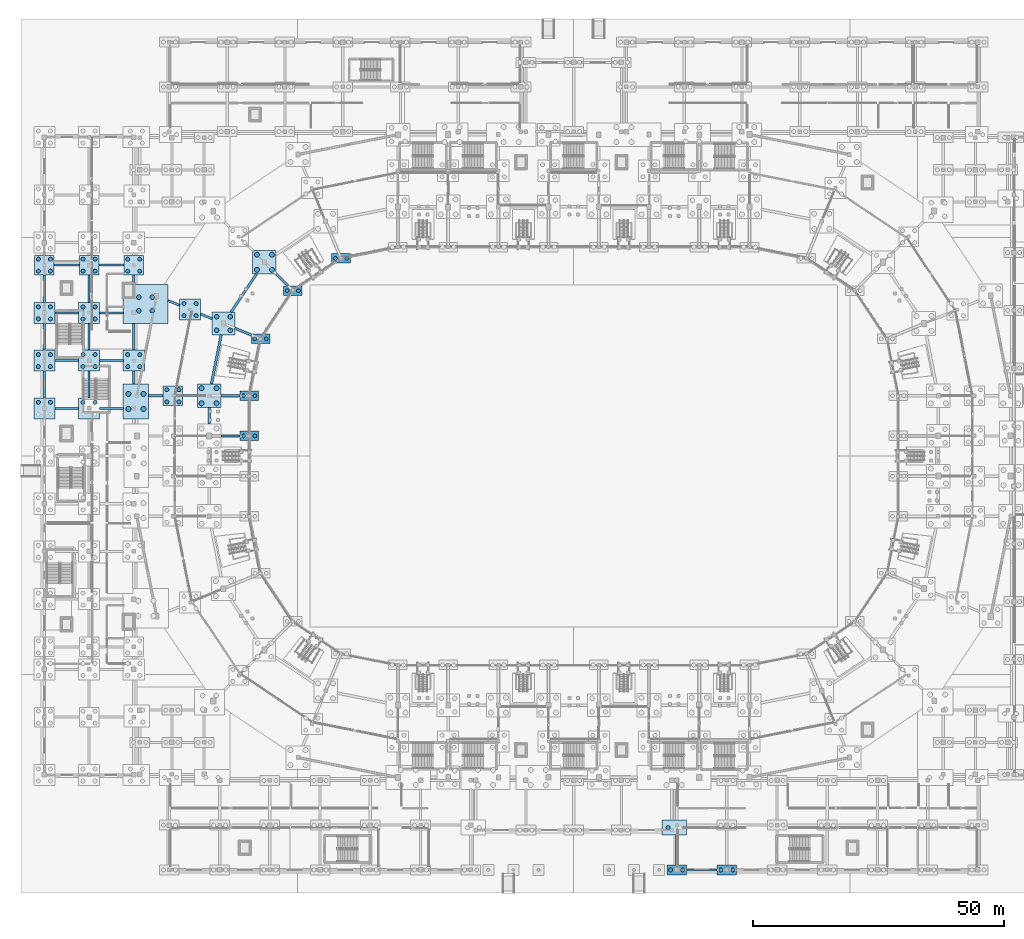
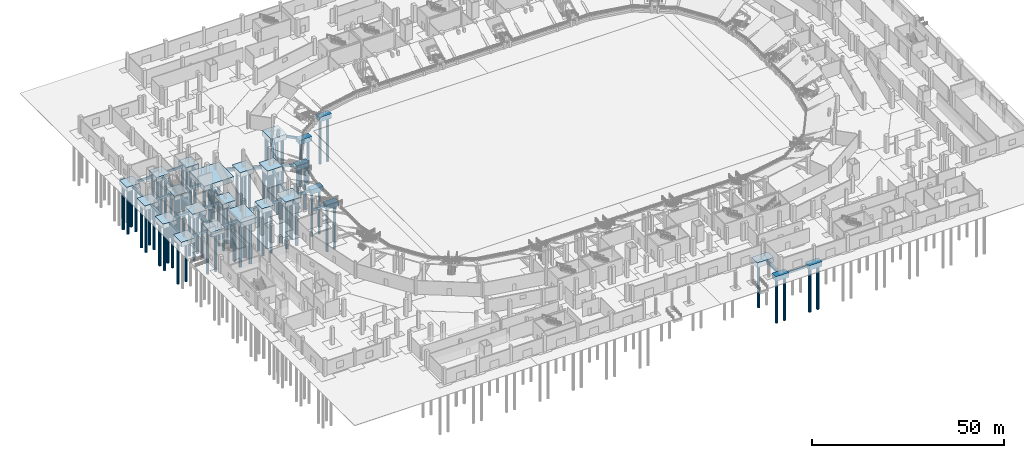
# One storey, part 5 of 68: 79 piles, 55 footings.
"""IFC4 building model written with IfcOpenShell, lengths in metres."""

from ifc_helpers import new_model, si_unit, direction, frame, origin, origin_2d, place, context, subcontext, project, spatial, rectangle, circle, extrude, material, material_profile, profile_set, type_object, element, save


model = new_model("IFC4")

# Units and contexts
model_context = context("Model", 3, precision=1e-05, world=origin(), true_north=direction((0.0, 1.0)))
body_context = subcontext(model_context, "Body", "Model", "MODEL_VIEW")
ifc_project = project(units=[si_unit("LENGTHUNIT", "METRE"), si_unit("AREAUNIT", "SQUARE_METRE"), si_unit("VOLUMEUNIT", "CUBIC_METRE"), si_unit("PLANEANGLEUNIT", "RADIAN"), si_unit("MASSUNIT", "GRAM", prefix="KILO")], contexts=[model_context])

# Site, building, storey
site_placement = place(None, origin())
site = spatial("IfcSite", under=ifc_project, at=site_placement, CompositionType="ELEMENT")
building_placement = place(site_placement, origin())
building = spatial("IfcBuilding", under=site, at=building_placement, Name="Candeia Ridge Stadium", CompositionType="ELEMENT")
storey_placement = place(building_placement, origin())
storey = spatial("IfcBuildingStorey", under=building, at=storey_placement, Name="L00", CompositionType="ELEMENT", Elevation=0.0)

# Piles
ifc_material = material(Name="Concrete C40/50", Category="concrete")
ifc_material_profile_1 = material_profile(ifc_material, circle(Radius=0.5, at=origin_2d()), Name="PILE-D1000", Category="concrete")
ifc_profile_set_1 = profile_set([ifc_material_profile_1], Name="Concrete C40/50")
pile_type_1 = type_object("IfcPileType", Name="Bored Concrete Pile D1000", PredefinedType="BORED", material=ifc_profile_set_1)
for number, where, z_axis, x_axis, name in (
    (1, (42.912841796875, 120.087158203125, -1.39990234375), (0.0, 0.0, -1.0), (1.0, 0.0, 0.0), "Bored concrete foundation pile PILE-0125"),
    (2, (45.912841796875, 120.087158203125, -1.39990234375), (0.0, 0.0, -1.0), (1.0, 0.0, 0.0), "Bored concrete foundation pile PILE-0126"),
    (3, (42.912841796875, 123.087158203125, -1.39990234375), (0.0, 0.0, -1.0), (1.0, 0.0, 0.0), "Bored concrete foundation pile PILE-0127"),
    (4, (45.912841796875, 123.087158203125, -1.39990234375), (0.0, 0.0, -1.0), (1.0, 0.0, 0.0), "Bored concrete foundation pile PILE-0128"),
    (5, (31.89990234375, 93.5, -1.39990234375), (0.0, 0.0, -1.0), (1.0, 0.0, 0.0), "Bored concrete foundation pile PILE-0153"),
    (6, (34.89990234375, 93.5, -1.39990234375), (0.0, 0.0, -1.0), (1.0, 0.0, 0.0), "Bored concrete foundation pile PILE-0154"),
    (7, (31.89990234375, 96.5, -1.39990234375), (0.0, 0.0, -1.0), (1.0, 0.0, 0.0), "Bored concrete foundation pile PILE-0155"),
    (8, (34.89990234375, 96.5, -1.39990234375), (0.0, 0.0, -1.0), (1.0, 0.0, 0.0), "Bored concrete foundation pile PILE-0156"),
    (9, (17.324951171875, 92.375, -1.39990234375), (0.0, 0.0, -1.0), (1.0, 0.0, 0.0), "Bored concrete foundation pile PILE-0161"),
    (10, (20.324951171875, 92.375, -1.39990234375), (0.0, 0.0, -1.0), (1.0, 0.0, 0.0), "Bored concrete foundation pile PILE-0162"),
    (11, (17.324951171875, 95.375, -1.39990234375), (0.0, 0.0, -1.0), (1.0, 0.0, 0.0), "Bored concrete foundation pile PILE-0163"),
    (12, (20.324951171875, 95.375, -1.39990234375), (0.0, 0.0, -1.0), (1.0, 0.0, 0.0), "Bored concrete foundation pile PILE-0164"),
):
    element("IfcPile", number, at=place(storey_placement, frame(where, z_axis=z_axis, x_axis=x_axis)), inside=storey, type_object=pile_type_1, Name=name, PredefinedType="BORED", context=body_context, shape_type="SweptSolid", body=[
        extrude(circle(Radius=0.5, at=origin_2d()), origin(), (0.0, 0.0, 1.0), 14.0),
    ])
ifc_material_profile_2 = material_profile(ifc_material, circle(Radius=0.375, at=origin_2d()), Name="PILE-D750", Category="concrete")
ifc_profile_set_2 = profile_set([ifc_material_profile_2], Name="Concrete C40/50")
pile_type_2 = type_object("IfcPileType", Name="Bored Concrete Pile D750", PredefinedType="BORED", material=ifc_profile_set_2)
for number, where, z_axis, x_axis, name in (
    (13, (58.547607421875, 122.3466796875, -1.39990234375), (0.0, 0.0, -1.0), (1.0, 0.0, 0.0), "Bored concrete foundation pile PILE-0109"),
    (14, (60.797607421875, 122.3466796875, -1.39990234375), (0.0, 0.0, -1.0), (1.0, 0.0, 0.0), "Bored concrete foundation pile PILE-0110"),
    (15, (48.944580078125, 115.930419921875, -1.39990234375), (0.0, 0.0, -1.0), (1.0, 0.0, 0.0), "Bored concrete foundation pile PILE-0123"),
    (16, (51.194580078125, 115.930419921875, -1.39990234375), (0.0, 0.0, -1.0), (1.0, 0.0, 0.0), "Bored concrete foundation pile PILE-0124"),
    (17, (42.5283203125, 106.327392578125, -1.39990234375), (0.0, 0.0, -1.0), (1.0, 0.0, 0.0), "Bored concrete foundation pile PILE-0137"),
    (18, (44.7783203125, 106.327392578125, -1.39990234375), (0.0, 0.0, -1.0), (1.0, 0.0, 0.0), "Bored concrete foundation pile PILE-0138"),
    (19, (40.27490234375, 95.0, -1.39990234375), (0.0, 0.0, -1.0), (1.0, 0.0, 0.0), "Bored concrete foundation pile PILE-0151"),
    (20, (42.52490234375, 95.0, -1.39990234375), (0.0, 0.0, -1.0), (1.0, 0.0, 0.0), "Bored concrete foundation pile PILE-0152"),
    (21, (40.27490234375, 87.0, -1.39990234375), (0.0, 0.0, -1.0), (1.0, 0.0, 0.0), "Bored concrete foundation pile PILE-0165"),
    (22, (42.52490234375, 87.0, -1.39990234375), (0.0, 0.0, -1.0), (1.0, 0.0, 0.0), "Bored concrete foundation pile PILE-0166"),
):
    element("IfcPile", number, at=place(storey_placement, frame(where, z_axis=z_axis, x_axis=x_axis)), inside=storey, type_object=pile_type_2, Name=name, PredefinedType="BORED", context=body_context, shape_type="SweptSolid", body=[
        extrude(circle(Radius=0.375, at=origin_2d()), origin(), (0.0, 0.0, 1.0), 14.0),
    ])
ifc_material_profile_3 = material_profile(ifc_material, circle(Radius=0.39990234375, at=origin_2d()), Name="PILE-D800", Category="concrete")
ifc_profile_set_3 = profile_set([ifc_material_profile_3], Name="Concrete C40/50")
pile_type_3 = type_object("IfcPileType", Name="Bored Concrete Pile D800", PredefinedType="BORED", material=ifc_profile_set_3)
for number, where, z_axis, x_axis, name in (
    (23, (28.41015625, 110.944091796875, -1.39990234375), (0.0, 0.0, -1.0), (1.0, 0.0, 0.0), "Bored concrete foundation pile PILE-0143"),
    (24, (30.810302734375, 110.944091796875, -1.39990234375), (0.0, 0.0, -1.0), (1.0, 0.0, 0.0), "Bored concrete foundation pile PILE-0144"),
    (25, (28.41015625, 113.34423828125, -1.39990234375), (0.0, 0.0, -1.0), (1.0, 0.0, 0.0), "Bored concrete foundation pile PILE-0145"),
    (26, (30.810302734375, 113.34423828125, -1.39990234375), (0.0, 0.0, -1.0), (1.0, 0.0, 0.0), "Bored concrete foundation pile PILE-0146"),
    (27, (25.0, 93.800048828125, -1.39990234375), (0.0, 0.0, -1.0), (1.0, 0.0, 0.0), "Bored concrete foundation pile PILE-0157"),
    (28, (27.39990234375, 93.800048828125, -1.39990234375), (0.0, 0.0, -1.0), (1.0, 0.0, 0.0), "Bored concrete foundation pile PILE-0158"),
    (29, (25.0, 96.199951171875, -1.39990234375), (0.0, 0.0, -1.0), (1.0, 0.0, 0.0), "Bored concrete foundation pile PILE-0159"),
    (30, (27.39990234375, 96.199951171875, -1.39990234375), (0.0, 0.0, -1.0), (1.0, 0.0, 0.0), "Bored concrete foundation pile PILE-0160"),
    (31, (-0.60009765625, 93.699951171875, -1.39990234375), (0.0, 0.0, -1.0), (1.0, 0.0, 0.0), "Bored concrete foundation pile PILE-0527"),
    (32, (1.800048828125, 93.699951171875, -1.39990234375), (0.0, 0.0, -1.0), (1.0, 0.0, 0.0), "Bored concrete foundation pile PILE-0528"),
    (33, (-0.60009765625, 100.800048828125, -1.39990234375), (0.0, 0.0, -1.0), (1.0, 0.0, 0.0), "Bored concrete foundation pile PILE-0529"),
    (34, (1.800048828125, 100.800048828125, -1.39990234375), (0.0, 0.0, -1.0), (1.0, 0.0, 0.0), "Bored concrete foundation pile PILE-0530"),
    (35, (-0.60009765625, 103.199951171875, -1.39990234375), (0.0, 0.0, -1.0), (1.0, 0.0, 0.0), "Bored concrete foundation pile PILE-0531"),
    (36, (1.800048828125, 103.199951171875, -1.39990234375), (0.0, 0.0, -1.0), (1.0, 0.0, 0.0), "Bored concrete foundation pile PILE-0532"),
    (37, (-0.60009765625, 110.300048828125, -1.39990234375), (0.0, 0.0, -1.0), (1.0, 0.0, 0.0), "Bored concrete foundation pile PILE-0533"),
    (38, (1.800048828125, 110.300048828125, -1.39990234375), (0.0, 0.0, -1.0), (1.0, 0.0, 0.0), "Bored concrete foundation pile PILE-0534"),
    (39, (-0.60009765625, 112.699951171875, -1.39990234375), (0.0, 0.0, -1.0), (1.0, 0.0, 0.0), "Bored concrete foundation pile PILE-0535"),
    (40, (1.800048828125, 112.699951171875, -1.39990234375), (0.0, 0.0, -1.0), (1.0, 0.0, 0.0), "Bored concrete foundation pile PILE-0536"),
    (41, (-0.60009765625, 119.800048828125, -1.39990234375), (0.0, 0.0, -1.0), (1.0, 0.0, 0.0), "Bored concrete foundation pile PILE-0537"),
    (42, (1.800048828125, 119.800048828125, -1.39990234375), (0.0, 0.0, -1.0), (1.0, 0.0, 0.0), "Bored concrete foundation pile PILE-0538"),
    (43, (-0.60009765625, 122.199951171875, -1.39990234375), (0.0, 0.0, -1.0), (1.0, 0.0, 0.0), "Bored concrete foundation pile PILE-0539"),
    (44, (1.800048828125, 122.199951171875, -1.39990234375), (0.0, 0.0, -1.0), (1.0, 0.0, 0.0), "Bored concrete foundation pile PILE-0540"),
    (45, (8.300048828125, 93.699951171875, -1.39990234375), (0.0, 0.0, -1.0), (1.0, 0.0, 0.0), "Bored concrete foundation pile PILE-0587"),
    (46, (10.699951171875, 93.699951171875, -1.39990234375), (0.0, 0.0, -1.0), (1.0, 0.0, 0.0), "Bored concrete foundation pile PILE-0588"),
    (47, (8.300048828125, 100.800048828125, -1.39990234375), (0.0, 0.0, -1.0), (1.0, 0.0, 0.0), "Bored concrete foundation pile PILE-0589"),
    (48, (10.699951171875, 100.800048828125, -1.39990234375), (0.0, 0.0, -1.0), (1.0, 0.0, 0.0), "Bored concrete foundation pile PILE-0590"),
    (49, (8.300048828125, 103.199951171875, -1.39990234375), (0.0, 0.0, -1.0), (1.0, 0.0, 0.0), "Bored concrete foundation pile PILE-0591"),
    (50, (10.699951171875, 103.199951171875, -1.39990234375), (0.0, 0.0, -1.0), (1.0, 0.0, 0.0), "Bored concrete foundation pile PILE-0592"),
    (51, (8.300048828125, 110.300048828125, -1.39990234375), (0.0, 0.0, -1.0), (1.0, 0.0, 0.0), "Bored concrete foundation pile PILE-0593"),
    (52, (10.699951171875, 110.300048828125, -1.39990234375), (0.0, 0.0, -1.0), (1.0, 0.0, 0.0), "Bored concrete foundation pile PILE-0594"),
    (53, (8.300048828125, 112.699951171875, -1.39990234375), (0.0, 0.0, -1.0), (1.0, 0.0, 0.0), "Bored concrete foundation pile PILE-0595"),
    (54, (10.699951171875, 112.699951171875, -1.39990234375), (0.0, 0.0, -1.0), (1.0, 0.0, 0.0), "Bored concrete foundation pile PILE-0596"),
    (55, (8.300048828125, 119.800048828125, -1.39990234375), (0.0, 0.0, -1.0), (1.0, 0.0, 0.0), "Bored concrete foundation pile PILE-0597"),
    (56, (10.699951171875, 119.800048828125, -1.39990234375), (0.0, 0.0, -1.0), (1.0, 0.0, 0.0), "Bored concrete foundation pile PILE-0598"),
    (57, (8.300048828125, 122.199951171875, -1.39990234375), (0.0, 0.0, -1.0), (1.0, 0.0, 0.0), "Bored concrete foundation pile PILE-0599"),
    (58, (10.699951171875, 122.199951171875, -1.39990234375), (0.0, 0.0, -1.0), (1.0, 0.0, 0.0), "Bored concrete foundation pile PILE-0600"),
    (59, (17.199951171875, 100.800048828125, -1.39990234375), (0.0, 0.0, -1.0), (1.0, 0.0, 0.0), "Bored concrete foundation pile PILE-0633"),
    (60, (19.60009765625, 100.800048828125, -1.39990234375), (0.0, 0.0, -1.0), (1.0, 0.0, 0.0), "Bored concrete foundation pile PILE-0634"),
    (61, (17.199951171875, 103.199951171875, -1.39990234375), (0.0, 0.0, -1.0), (1.0, 0.0, 0.0), "Bored concrete foundation pile PILE-0635"),
    (62, (19.60009765625, 103.199951171875, -1.39990234375), (0.0, 0.0, -1.0), (1.0, 0.0, 0.0), "Bored concrete foundation pile PILE-0636"),
    (63, (17.199951171875, 119.800048828125, -1.39990234375), (0.0, 0.0, -1.0), (1.0, 0.0, 0.0), "Bored concrete foundation pile PILE-0637"),
    (64, (19.60009765625, 119.800048828125, -1.39990234375), (0.0, 0.0, -1.0), (1.0, 0.0, 0.0), "Bored concrete foundation pile PILE-0638"),
    (65, (17.199951171875, 122.199951171875, -1.39990234375), (0.0, 0.0, -1.0), (1.0, 0.0, 0.0), "Bored concrete foundation pile PILE-0639"),
    (66, (19.60009765625, 122.199951171875, -1.39990234375), (0.0, 0.0, -1.0), (1.0, 0.0, 0.0), "Bored concrete foundation pile PILE-0640"),
    (67, (125.300048828125, 0.60009765625, -1.39990234375), (0.0, 0.0, -1.0), (1.0, 0.0, 0.0), "Bored concrete foundation pile PILE-0759"),
    (68, (127.699951171875, 0.60009765625, -1.39990234375), (0.0, 0.0, -1.0), (1.0, 0.0, 0.0), "Bored concrete foundation pile PILE-0760"),
    (69, (124.800048828125, 9.0, -1.39990234375), (0.0, 0.0, -1.0), (1.0, 0.0, 0.0), "Bored concrete foundation pile PILE-0761"),
    (70, (135.300048828125, 0.60009765625, -1.39990234375), (0.0, 0.0, -1.0), (1.0, 0.0, 0.0), "Bored concrete foundation pile PILE-0763"),
    (71, (137.699951171875, 0.60009765625, -1.39990234375), (0.0, 0.0, -1.0), (1.0, 0.0, 0.0), "Bored concrete foundation pile PILE-0764"),
):
    element("IfcPile", number, at=place(storey_placement, frame(where, z_axis=z_axis, x_axis=x_axis)), inside=storey, type_object=pile_type_3, Name=name, PredefinedType="BORED", context=body_context, shape_type="SweptSolid", body=[
        extrude(circle(Radius=0.39990234375, at=origin_2d()), origin(), (0.0, 0.0, 1.0), 14.0),
    ])
ifc_material_profile_4 = material_profile(ifc_material, circle(Radius=0.449951171875, at=origin_2d()), Name="PILE-D900", Category="concrete")
ifc_profile_set_4 = profile_set([ifc_material_profile_4], Name="Concrete C40/50")
pile_type_4 = type_object("IfcPileType", Name="Bored Concrete Pile D900", PredefinedType="BORED", material=ifc_profile_set_4)
for number, where, z_axis, x_axis, name in (
    (72, (34.912109375, 108.038818359375, -1.39990234375), (0.0, 0.0, -1.0), (1.0, 0.0, 0.0), "Bored concrete foundation pile PILE-0139"),
    (73, (37.612060546875, 108.038818359375, -1.39990234375), (0.0, 0.0, -1.0), (1.0, 0.0, 0.0), "Bored concrete foundation pile PILE-0140"),
    (74, (34.912109375, 110.739013671875, -1.39990234375), (0.0, 0.0, -1.0), (1.0, 0.0, 0.0), "Bored concrete foundation pile PILE-0141"),
    (75, (37.612060546875, 110.739013671875, -1.39990234375), (0.0, 0.0, -1.0), (1.0, 0.0, 0.0), "Bored concrete foundation pile PILE-0142"),
    (76, (19.404052734375, 111.9248046875, -1.39990234375), (0.0, 0.0, -1.0), (1.0, 0.0, 0.0), "Bored concrete foundation pile PILE-0147"),
    (77, (22.10400390625, 111.9248046875, -1.39990234375), (0.0, 0.0, -1.0), (1.0, 0.0, 0.0), "Bored concrete foundation pile PILE-0148"),
    (78, (19.404052734375, 114.624755859375, -1.39990234375), (0.0, 0.0, -1.0), (1.0, 0.0, 0.0), "Bored concrete foundation pile PILE-0149"),
    (79, (22.10400390625, 114.624755859375, -1.39990234375), (0.0, 0.0, -1.0), (1.0, 0.0, 0.0), "Bored concrete foundation pile PILE-0150"),
):
    element("IfcPile", number, at=place(storey_placement, frame(where, z_axis=z_axis, x_axis=x_axis)), inside=storey, type_object=pile_type_4, Name=name, PredefinedType="BORED", context=body_context, shape_type="SweptSolid", body=[
        extrude(circle(Radius=0.449951171875, at=origin_2d()), origin(), (0.0, 0.0, 1.0), 14.0),
    ])

# Footings
footing_type_1 = type_object("IfcFootingType", Name="Ground Tie Beam 400x700", PredefinedType="FOOTING_BEAM", material=ifc_material)
for number, where, z_axis, x_axis, name in (
    (80, (5.050048828125, 92.5, -1.0498046875), (0.0, 0.0, 1.0), (1.0, 0.0, 0.0), "Ground tie beam GTB-0177"),
    (81, (5.050048828125, 102.0, -1.0498046875), (0.0, 0.0, 1.0), (1.0, 0.0, 0.0), "Ground tie beam GTB-0179"),
    (82, (5.050048828125, 111.5, -1.0498046875), (0.0, 0.0, 1.0), (1.0, 0.0, 0.0), "Ground tie beam GTB-0181"),
):
    element("IfcFooting", number, at=place(storey_placement, frame(where, z_axis=z_axis, x_axis=x_axis)), inside=storey, type_object=footing_type_1, Name=name, PredefinedType="FOOTING_BEAM", context=body_context, shape_type="SweptSolid", body=[
        extrude(rectangle(XDim=4.719970703125, YDim=0.39990234375, at=origin_2d()), origin(), (0.0, 0.0, 1.0), 0.699951171875),
    ])
footing_1_placement = place(storey_placement, frame((5.050048828125, 121.0, -1.0498046875), z_axis=(0.0, 0.0, 1.0), x_axis=(1.0, 0.0, 0.0)))
element("IfcFooting", 83, at=footing_1_placement, inside=storey, type_object=footing_type_1, Name="Ground tie beam GTB-0183", PredefinedType="FOOTING_BEAM", context=body_context, shape_type="SweptSolid", body=[
    extrude(rectangle(XDim=5.02001953125, YDim=0.39990234375, at=origin_2d()), origin(), (0.0, 0.0, 1.0), 0.699951171875),
])
for number, where, z_axis, x_axis, name in (
    (84, (13.949951171875, 92.5, -1.0498046875), (0.0, 0.0, 1.0), (1.0, 0.0, 0.0), "Ground tie beam GTB-0206"),
    (85, (13.949951171875, 102.0, -1.0498046875), (0.0, 0.0, 1.0), (1.0, 0.0, 0.0), "Ground tie beam GTB-0208"),
    (86, (13.949951171875, 111.5, -1.0498046875), (0.0, 0.0, 1.0), (1.0, 0.0, 0.0), "Ground tie beam GTB-0210"),
):
    element("IfcFooting", number, at=place(storey_placement, frame(where, z_axis=z_axis, x_axis=x_axis)), inside=storey, type_object=footing_type_1, Name=name, PredefinedType="FOOTING_BEAM", context=body_context, shape_type="SweptSolid", body=[
        extrude(rectangle(XDim=4.719970703125, YDim=0.39990234375, at=origin_2d()), origin(), (0.0, 0.0, 1.0), 0.699951171875),
    ])
footing_2_placement = place(storey_placement, frame((13.949951171875, 121.0, -1.0498046875), z_axis=(0.0, 0.0, 1.0), x_axis=(1.0, 0.0, 0.0)))
element("IfcFooting", 87, at=footing_2_placement, inside=storey, type_object=footing_type_1, Name="Ground tie beam GTB-0212", PredefinedType="FOOTING_BEAM", context=body_context, shape_type="SweptSolid", body=[
    extrude(rectangle(XDim=5.02001953125, YDim=0.39990234375, at=origin_2d()), origin(), (0.0, 0.0, 1.0), 0.699951171875),
])
footing_3_placement = place(storey_placement, frame((131.5, 0.60009765625, -1.0498046875), z_axis=(0.0, 0.0, 1.0), x_axis=(1.0, 0.0, 0.0)))
element("IfcFooting", 88, at=footing_3_placement, inside=storey, type_object=footing_type_1, Name="Ground tie beam GTB-0322", PredefinedType="FOOTING_BEAM", context=body_context, shape_type="SweptSolid", body=[
    extrude(rectangle(XDim=6.1201171875, YDim=0.39990234375, at=origin_2d()), origin(), (0.0, 0.0, 1.0), 0.699951171875),
])
footing_type_2 = type_object("IfcFootingType", Name="Ground Tie Beam 450x750", PredefinedType="FOOTING_BEAM", material=ifc_material)
footing_4_placement = place(storey_placement, frame((47.941162109375, 118.058837890625, -1.074951171875), z_axis=(0.0, 0.0, 1.0), x_axis=(-0.707106781187, 0.707106781187, 0.0)))
element("IfcFooting", 89, at=footing_4_placement, inside=storey, type_object=footing_type_2, Name="Ground tie beam GTB-0043", PredefinedType="FOOTING_BEAM", context=body_context, shape_type="SweptSolid", body=[
    extrude(rectangle(XDim=3.35302734375, YDim=0.449951171875, at=origin_2d()), origin(), (0.0, 0.0, 1.0), 0.75),
])
footing_5_placement = place(storey_placement, frame((40.15771484375, 107.775390625, -1.074951171875), z_axis=(0.0, 0.0, 1.0), x_axis=(-0.923883459144, 0.382673952498, 0.0)))
element("IfcFooting", 90, at=footing_5_placement, inside=storey, type_object=footing_type_2, Name="Ground tie beam GTB-0047", PredefinedType="FOOTING_BEAM", context=body_context, shape_type="SweptSolid", body=[
    extrude(rectangle(XDim=3.582275390625, YDim=0.449951171875, at=origin_2d()), origin(), (0.0, 0.0, 1.0), 0.75),
])
footing_6_placement = place(storey_placement, frame((32.861083984375, 110.797607421875, -1.074951171875), z_axis=(0.0, 0.0, 1.0), x_axis=(-0.92388532511, 0.382669447496, 0.0)))
element("IfcFooting", 91, at=footing_6_placement, inside=storey, type_object=footing_type_2, Name="Ground tie beam GTB-0048", PredefinedType="FOOTING_BEAM", context=body_context, shape_type="SweptSolid", body=[
    extrude(rectangle(XDim=2.511474609375, YDim=0.449951171875, at=origin_2d()), origin(), (0.0, 0.0, 1.0), 0.75),
])
footing_7_placement = place(storey_placement, frame((26.359130859375, 113.49072265625, -1.074951171875), z_axis=(0.0, 0.0, 1.0), x_axis=(-0.923871248124, 0.382703432032, 0.0)))
element("IfcFooting", 92, at=footing_7_placement, inside=storey, type_object=footing_type_2, Name="Ground tie beam GTB-0049", PredefinedType="FOOTING_BEAM", context=body_context, shape_type="SweptSolid", body=[
    extrude(rectangle(XDim=2.51171875, YDim=0.449951171875, at=origin_2d()), origin(), (0.0, 0.0, 1.0), 0.75),
])
footing_8_placement = place(storey_placement, frame((37.64990234375, 95.0, -1.074951171875), z_axis=(0.0, 0.0, 1.0), x_axis=(-1.0, 0.0, 0.0)))
element("IfcFooting", 93, at=footing_8_placement, inside=storey, type_object=footing_type_2, Name="Ground tie beam GTB-0052", PredefinedType="FOOTING_BEAM", context=body_context, shape_type="SweptSolid", body=[
    extrude(rectangle(XDim=3.820068359375, YDim=0.449951171875, at=origin_2d()), origin(), (0.0, 0.0, 1.0), 0.75),
])
for number, where, z_axis, x_axis, name in (
    (94, (29.60009765625, 95.0, -1.074951171875), (0.0, 0.0, 1.0), (-1.0, 0.0, 0.0), "Ground tie beam GTB-0053"),
    (95, (22.800048828125, 95.0, -1.074951171875), (0.0, 0.0, 1.0), (-1.0, 0.0, 0.0), "Ground tie beam GTB-0054"),
):
    element("IfcFooting", number, at=place(storey_placement, frame(where, z_axis=z_axis, x_axis=x_axis)), inside=storey, type_object=footing_type_2, Name=name, PredefinedType="FOOTING_BEAM", context=body_context, shape_type="SweptSolid", body=[
        extrude(rectangle(XDim=2.919921875, YDim=0.449951171875, at=origin_2d()), origin(), (0.0, 0.0, 1.0), 0.75),
    ])
footing_9_placement = place(storey_placement, frame((37.64990234375, 87.0, -1.074951171875), z_axis=(0.0, 0.0, 1.0), x_axis=(-1.0, 0.0, 0.0)))
element("IfcFooting", 96, at=footing_9_placement, inside=storey, type_object=footing_type_2, Name="Ground tie beam GTB-0056", PredefinedType="FOOTING_BEAM", context=body_context, shape_type="SweptSolid", body=[
    extrude(rectangle(XDim=3.820068359375, YDim=0.449951171875, at=origin_2d()), origin(), (0.0, 0.0, 1.0), 0.75),
])
for number, where, z_axis, x_axis, name in (
    (97, (0.60009765625, 97.25, -1.074951171875), (0.0, 0.0, 1.0), (0.0, 1.0, 0.0), "Ground tie beam GTB-0176"),
    (98, (0.60009765625, 106.75, -1.074951171875), (0.0, 0.0, 1.0), (0.0, 1.0, 0.0), "Ground tie beam GTB-0178"),
):
    element("IfcFooting", number, at=place(storey_placement, frame(where, z_axis=z_axis, x_axis=x_axis)), inside=storey, type_object=footing_type_2, Name=name, PredefinedType="FOOTING_BEAM", context=body_context, shape_type="SweptSolid", body=[
        extrude(rectangle(XDim=5.320068359375, YDim=0.449951171875, at=origin_2d()), origin(), (0.0, 0.0, 1.0), 0.75),
    ])
footing_10_placement = place(storey_placement, frame((0.60009765625, 116.324951171875, -1.074951171875), z_axis=(0.0, 0.0, 1.0), x_axis=(0.0, 1.0, 0.0)))
element("IfcFooting", 99, at=footing_10_placement, inside=storey, type_object=footing_type_2, Name="Ground tie beam GTB-0180", PredefinedType="FOOTING_BEAM", context=body_context, shape_type="SweptSolid", body=[
    extrude(rectangle(XDim=5.469970703125, YDim=0.449951171875, at=origin_2d()), origin(), (0.0, 0.0, 1.0), 0.75),
])
for number, where, z_axis, x_axis, name in (
    (100, (9.5, 97.25, -1.074951171875), (0.0, 0.0, 1.0), (0.0, 1.0, 0.0), "Ground tie beam GTB-0205"),
    (101, (9.5, 106.75, -1.074951171875), (0.0, 0.0, 1.0), (0.0, 1.0, 0.0), "Ground tie beam GTB-0207"),
):
    element("IfcFooting", number, at=place(storey_placement, frame(where, z_axis=z_axis, x_axis=x_axis)), inside=storey, type_object=footing_type_2, Name=name, PredefinedType="FOOTING_BEAM", context=body_context, shape_type="SweptSolid", body=[
        extrude(rectangle(XDim=5.320068359375, YDim=0.449951171875, at=origin_2d()), origin(), (0.0, 0.0, 1.0), 0.75),
    ])
footing_11_placement = place(storey_placement, frame((9.5, 116.324951171875, -1.074951171875), z_axis=(0.0, 0.0, 1.0), x_axis=(0.0, 1.0, 0.0)))
element("IfcFooting", 102, at=footing_11_placement, inside=storey, type_object=footing_type_2, Name="Ground tie beam GTB-0209", PredefinedType="FOOTING_BEAM", context=body_context, shape_type="SweptSolid", body=[
    extrude(rectangle(XDim=5.469970703125, YDim=0.449951171875, at=origin_2d()), origin(), (0.0, 0.0, 1.0), 0.75),
])
footing_12_placement = place(storey_placement, frame((18.39990234375, 98.625, -1.074951171875), z_axis=(0.0, 0.0, 1.0), x_axis=(0.0, 1.0, 0.0)))
element("IfcFooting", 103, at=footing_12_placement, inside=storey, type_object=footing_type_2, Name="Ground tie beam GTB-0226", PredefinedType="FOOTING_BEAM", context=body_context, shape_type="SweptSolid", body=[
    extrude(rectangle(XDim=2.570068359375, YDim=0.449951171875, at=origin_2d()), origin(), (0.0, 0.0, 1.0), 0.75),
])
footing_13_placement = place(storey_placement, frame((18.39990234375, 106.75, -1.074951171875), z_axis=(0.0, 0.0, 1.0), x_axis=(0.0, 1.0, 0.0)))
element("IfcFooting", 104, at=footing_13_placement, inside=storey, type_object=footing_type_2, Name="Ground tie beam GTB-0227", PredefinedType="FOOTING_BEAM", context=body_context, shape_type="SweptSolid", body=[
    extrude(rectangle(XDim=5.320068359375, YDim=0.449951171875, at=origin_2d()), origin(), (0.0, 0.0, 1.0), 0.75),
])
footing_14_placement = place(storey_placement, frame((18.39990234375, 118.099853515625, -1.074951171875), z_axis=(0.0, 0.0, 1.0), x_axis=(0.0, 1.0, 0.0)))
element("IfcFooting", 105, at=footing_14_placement, inside=storey, type_object=footing_type_2, Name="Ground tie beam GTB-0228", PredefinedType="FOOTING_BEAM", context=body_context, shape_type="SweptSolid", body=[
    extrude(rectangle(XDim=1.92041015625, YDim=0.449951171875, at=origin_2d()), origin(), (0.0, 0.0, 1.0), 0.75),
])
footing_15_placement = place(storey_placement, frame((126.5, 4.550048828125, -1.074951171875), z_axis=(0.0, 0.0, 1.0), x_axis=(0.0, 1.0, 0.0)))
element("IfcFooting", 106, at=footing_15_placement, inside=storey, type_object=footing_type_2, Name="Ground tie beam GTB-0321", PredefinedType="FOOTING_BEAM", context=body_context, shape_type="SweptSolid", body=[
    extrude(rectangle(XDim=5.919921875, YDim=0.449951171875, at=origin_2d()), origin(), (0.0, 0.0, 1.0), 0.75),
])
footing_type_3 = type_object("IfcFootingType", Name="Ground Tie Beam 500x800", PredefinedType="FOOTING_BEAM", material=ifc_material)
footing_16_placement = place(storey_placement, frame((40.303955078125, 115.43798828125, -1.10009765625), z_axis=(0.0, 0.0, 1.0), x_axis=(-0.555569213197, -0.831470293726, 0.0)))
element("IfcFooting", 107, at=footing_16_placement, inside=storey, type_object=footing_type_3, Name="Ground tie beam GTB-0042", PredefinedType="FOOTING_BEAM", context=body_context, shape_type="SweptSolid", body=[
    extrude(rectangle(XDim=9.158447265625, YDim=0.5, at=origin_2d()), origin(), (0.0, 0.0, 1.0), 0.800048828125),
])
footing_17_placement = place(storey_placement, frame((34.841064453125, 102.244384765625, -1.10009765625), z_axis=(0.0, 0.0, 1.0), x_axis=(-0.195087248302, -0.980785891798, 0.0)))
element("IfcFooting", 108, at=footing_17_placement, inside=storey, type_object=footing_type_3, Name="Ground tie beam GTB-0046", PredefinedType="FOOTING_BEAM", context=body_context, shape_type="SweptSolid", body=[
    extrude(rectangle(XDim=10.000732421875, YDim=0.5, at=origin_2d()), origin(), (0.0, 0.0, 1.0), 0.800048828125),
])
footing_18_placement = place(storey_placement, frame((33.39990234375, 91.0, -1.10009765625), z_axis=(0.0, 0.0, 1.0), x_axis=(0.0, -1.0, 0.0)))
element("IfcFooting", 109, at=footing_18_placement, inside=storey, type_object=footing_type_3, Name="Ground tie beam GTB-0050", PredefinedType="FOOTING_BEAM", context=body_context, shape_type="SweptSolid", body=[
    extrude(rectangle(XDim=3.320068359375, YDim=0.5, at=origin_2d()), origin(), (0.0, 0.0, 1.0), 0.800048828125),
])
footing_type_4 = type_object("IfcFootingType", Name="Pile Cap 3700x1900x1450", PredefinedType="PILE_CAP", material=ifc_material)
for number, where, z_axis, x_axis, name in (
    (110, (59.672607421875, 122.346923828125, -1.4501953125), (0.0, 0.0, 1.0), (1.0, 0.0, 0.0), "Reinforced concrete pile cap CAP-032"),
    (111, (50.069580078125, 115.930419921875, -1.4501953125), (0.0, 0.0, 1.0), (1.0, 0.0, 0.0), "Reinforced concrete pile cap CAP-036"),
    (112, (43.653076171875, 106.327392578125, -1.4501953125), (0.0, 0.0, 1.0), (1.0, 0.0, 0.0), "Reinforced concrete pile cap CAP-040"),
    (113, (41.39990234375, 95.0, -1.4501953125), (0.0, 0.0, 1.0), (1.0, 0.0, 0.0), "Reinforced concrete pile cap CAP-044"),
    (114, (41.39990234375, 87.0, -1.4501953125), (0.0, 0.0, 1.0), (1.0, 0.0, 0.0), "Reinforced concrete pile cap CAP-048"),
):
    element("IfcFooting", number, at=place(storey_placement, frame(where, z_axis=z_axis, x_axis=x_axis)), inside=storey, type_object=footing_type_4, Name=name, PredefinedType="PILE_CAP", context=body_context, shape_type="SweptSolid", body=[
        extrude(rectangle(XDim=3.699951171875, YDim=1.89990234375, at=origin_2d()), origin(), (0.0, 0.0, 1.0), 1.449951171875),
    ])
footing_type_5 = type_object("IfcFootingType", Name="Pile Cap 3900x2000x1500", PredefinedType="PILE_CAP", material=ifc_material)
for number, where, z_axis, x_axis, name in (
    (115, (126.5, 0.60009765625, -1.5), (0.0, 0.0, 1.0), (1.0, 0.0, 0.0), "Reinforced concrete pile cap CAP-235"),
    (116, (136.5, 0.60009765625, -1.5), (0.0, 0.0, 1.0), (1.0, 0.0, 0.0), "Reinforced concrete pile cap CAP-237"),
):
    element("IfcFooting", number, at=place(storey_placement, frame(where, z_axis=z_axis, x_axis=x_axis)), inside=storey, type_object=footing_type_5, Name=name, PredefinedType="PILE_CAP", context=body_context, shape_type="SweptSolid", body=[
        extrude(rectangle(XDim=3.89990234375, YDim=2.0, at=origin_2d()), origin(), (0.0, 0.0, 1.0), 1.5),
    ])
footing_type_6 = type_object("IfcFootingType", Name="Pile Cap 3900x3900x1500", PredefinedType="PILE_CAP", material=ifc_material)
for number, where, z_axis, x_axis, name in (
    (117, (26.199951171875, 95.0, -1.5), (0.0, 0.0, 1.0), (1.0, 0.0, 0.0), "Reinforced concrete pile cap CAP-046"),
    (118, (0.60009765625, 121.0, -1.5), (0.0, 0.0, 1.0), (1.0, 0.0, 0.0), "Reinforced concrete pile cap CAP-153"),
    (119, (9.5, 121.0, -1.5), (0.0, 0.0, 1.0), (1.0, 0.0, 0.0), "Reinforced concrete pile cap CAP-168"),
    (120, (18.39990234375, 121.0, -1.5), (0.0, 0.0, 1.0), (1.0, 0.0, 0.0), "Reinforced concrete pile cap CAP-178"),
):
    element("IfcFooting", number, at=place(storey_placement, frame(where, z_axis=z_axis, x_axis=x_axis)), inside=storey, type_object=footing_type_6, Name=name, PredefinedType="PILE_CAP", context=body_context, shape_type="SweptSolid", body=[
        extrude(rectangle(XDim=3.89990234375, YDim=3.89990234375, at=origin_2d()), origin(), (0.0, 0.0, 1.0), 1.5),
    ])
footing_type_7 = type_object("IfcFootingType", Name="Pile Cap 4200x4200x1500", PredefinedType="PILE_CAP", material=ifc_material)
for number, where, z_axis, x_axis, name in (
    (121, (29.610107421875, 112.144287109375, -1.5), (0.0, 0.0, 1.0), (1.0, 0.0, 0.0), "Reinforced concrete pile cap CAP-042"),
    (122, (0.60009765625, 92.5, -1.5), (0.0, 0.0, 1.0), (1.0, 0.0, 0.0), "Reinforced concrete pile cap CAP-150"),
    (123, (0.60009765625, 102.0, -1.5), (0.0, 0.0, 1.0), (1.0, 0.0, 0.0), "Reinforced concrete pile cap CAP-151"),
    (124, (0.60009765625, 111.5, -1.5), (0.0, 0.0, 1.0), (1.0, 0.0, 0.0), "Reinforced concrete pile cap CAP-152"),
    (125, (9.5, 92.5, -1.5), (0.0, 0.0, 1.0), (1.0, 0.0, 0.0), "Reinforced concrete pile cap CAP-165"),
    (126, (9.5, 102.0, -1.5), (0.0, 0.0, 1.0), (1.0, 0.0, 0.0), "Reinforced concrete pile cap CAP-166"),
    (127, (9.5, 111.5, -1.5), (0.0, 0.0, 1.0), (1.0, 0.0, 0.0), "Reinforced concrete pile cap CAP-167"),
    (128, (18.39990234375, 102.0, -1.5), (0.0, 0.0, 1.0), (1.0, 0.0, 0.0), "Reinforced concrete pile cap CAP-177"),
):
    element("IfcFooting", number, at=place(storey_placement, frame(where, z_axis=z_axis, x_axis=x_axis)), inside=storey, type_object=footing_type_7, Name=name, PredefinedType="PILE_CAP", context=body_context, shape_type="SweptSolid", body=[
        extrude(rectangle(XDim=4.199951171875, YDim=4.199951171875, at=origin_2d()), origin(), (0.0, 0.0, 1.0), 1.5),
    ])
footing_type_8 = type_object("IfcFootingType", Name="Pile Cap 4500x4500x1550", PredefinedType="PILE_CAP", material=ifc_material)
footing_19_placement = place(storey_placement, frame((36.26220703125, 109.388916015625, -1.5498046875), z_axis=(0.0, 0.0, 1.0), x_axis=(1.0, 0.0, 0.0)))
element("IfcFooting", 129, at=footing_19_placement, inside=storey, type_object=footing_type_8, Name="Reinforced concrete pile cap CAP-041", PredefinedType="PILE_CAP", context=body_context, shape_type="SweptSolid", body=[
    extrude(rectangle(XDim=4.5, YDim=4.5, at=origin_2d()), origin(), (0.0, 0.0, 1.0), 1.550048828125),
])
footing_type_9 = type_object("IfcFootingType", Name="Pile Cap 4700x4700x1600", PredefinedType="PILE_CAP", material=ifc_material)
for number, where, z_axis, x_axis, name in (
    (130, (44.412841796875, 121.587158203125, -1.60009765625), (0.0, 0.0, 1.0), (1.0, 0.0, 0.0), "Reinforced concrete pile cap CAP-037"),
    (131, (33.39990234375, 95.0, -1.60009765625), (0.0, 0.0, 1.0), (1.0, 0.0, 0.0), "Reinforced concrete pile cap CAP-045"),
):
    element("IfcFooting", number, at=place(storey_placement, frame(where, z_axis=z_axis, x_axis=x_axis)), inside=storey, type_object=footing_type_9, Name=name, PredefinedType="PILE_CAP", context=body_context, shape_type="SweptSolid", body=[
        extrude(rectangle(XDim=4.699951171875, YDim=4.699951171875, at=origin_2d()), origin(), (0.0, 0.0, 1.0), 1.60009765625),
    ])
footing_type_10 = type_object("IfcFootingType", Name="Pile Cap 5400x4200x1600", PredefinedType="PILE_CAP", material=ifc_material)
footing_20_placement = place(storey_placement, frame((18.824951171875, 93.875, -1.60009765625), z_axis=(0.0, 0.0, 1.0), x_axis=(1.0, 0.0, 0.0)))
element("IfcFooting", 132, at=footing_20_placement, inside=storey, type_object=footing_type_10, Name="Reinforced concrete pile cap CAP-047", PredefinedType="PILE_CAP", context=body_context, shape_type="SweptSolid", body=[
    extrude(rectangle(XDim=5.050048828125, YDim=6.949951171875, at=origin_2d()), origin(), (0.0, 0.0, 1.0), 1.60009765625),
])
footing_21_placement = place(storey_placement, frame((126.0, 9.0, -1.60009765625), z_axis=(0.0, 0.0, 1.0), x_axis=(1.0, 0.0, 0.0)))
element("IfcFooting", 133, at=footing_21_placement, inside=storey, type_object=footing_type_10, Name="Reinforced concrete pile cap CAP-236", PredefinedType="PILE_CAP", context=body_context, shape_type="SweptSolid", body=[
    extrude(rectangle(XDim=4.89990234375, YDim=3.0, at=origin_2d()), origin(), (0.0, 0.0, 1.0), 1.60009765625),
])
footing_type_11 = type_object("IfcFootingType", Name="Pile Cap 6200x4400x1600", PredefinedType="PILE_CAP", material=ifc_material)
footing_22_placement = place(storey_placement, frame((20.754150390625, 113.274658203125, -1.60009765625), z_axis=(0.0, 0.0, 1.0), x_axis=(1.0, 0.0, 0.0)))
element("IfcFooting", 134, at=footing_22_placement, inside=storey, type_object=footing_type_11, Name="Reinforced concrete pile cap CAP-043", PredefinedType="PILE_CAP", context=body_context, shape_type="SweptSolid", body=[
    extrude(rectangle(XDim=8.908203125, YDim=7.74951171875, at=origin_2d()), origin(), (0.0, 0.0, 1.0), 1.60009765625),
])

save(model, "model.ifc")
